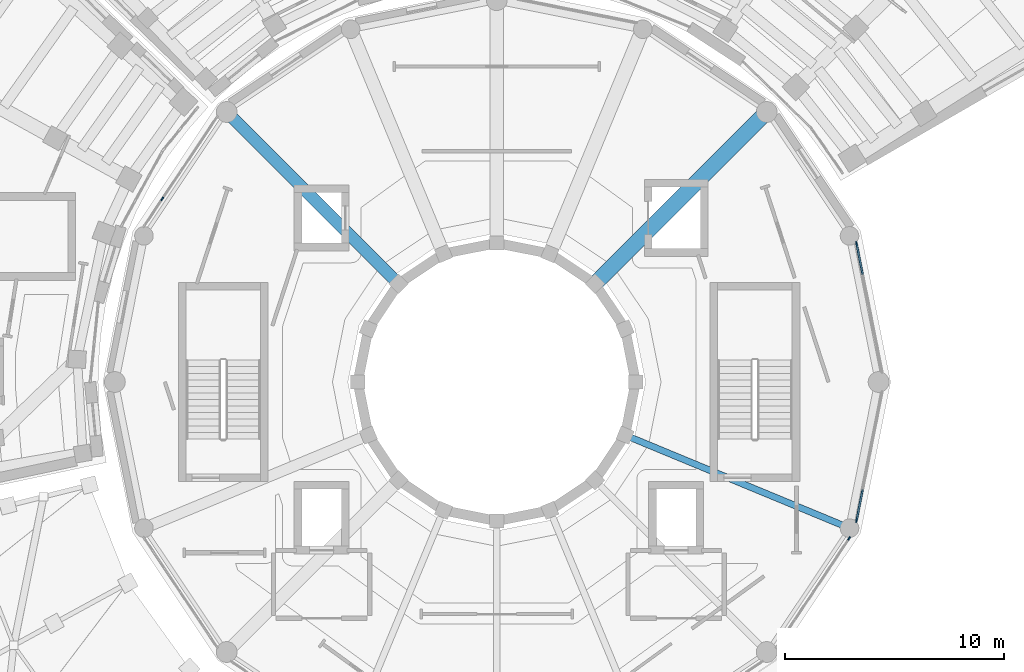
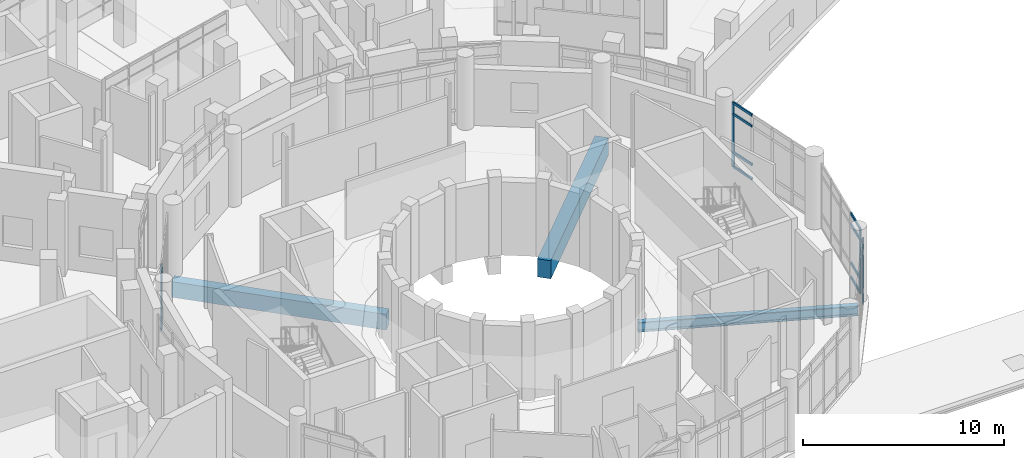
# One storey, part 11 of 75: 12 members, 3 beams, 4 elements without a shape of their own.
"""IFC4 building model written with IfcOpenShell, lengths in metres."""

from ifc_helpers import new_model, si_unit, direction, frame, origin, origin_2d, place, context, subcontext, project, spatial, rectangle, i_section, extrude, material, material_profile, profile_set, type_object, element, aggregate, save


model = new_model("IFC4")

# Units and contexts
model_context = context("Model", 3, precision=1e-05, world=origin(), true_north=direction((0.0, 1.0)))
body_context = subcontext(model_context, "Body", "Model", "MODEL_VIEW")
ifc_project = project(units=[si_unit("LENGTHUNIT", "METRE"), si_unit("AREAUNIT", "SQUARE_METRE"), si_unit("VOLUMEUNIT", "CUBIC_METRE"), si_unit("PLANEANGLEUNIT", "RADIAN"), si_unit("MASSUNIT", "GRAM", prefix="KILO")], contexts=[model_context])

# Site, building, storey
site_placement = place(None, origin())
site = spatial("IfcSite", under=ifc_project, at=site_placement, CompositionType="ELEMENT")
building_placement = place(site_placement, origin())
building = spatial("IfcBuilding", under=site, at=building_placement, Name="Soyqirgoq Riverine Aquarium", CompositionType="ELEMENT")
storey_placement = place(building_placement, frame((0.0, 0.0, 10.199951171875)))
storey = spatial("IfcBuildingStorey", under=building, at=storey_placement, Name="L03", CompositionType="ELEMENT", Elevation=10.199951171875)

# Curtain wall, member
ifc_material_1 = material(Name="Anodised aluminium thermally broken triple low-E glazing", Category="aluminium")
curtain_wall_type = type_object("IfcCurtainWallType", Name="CW_DrumGallery_Unitised", PredefinedType="NOTDEFINED", material=ifc_material_1)
curtain_wall_1_placement = place(storey_placement, origin())
curtain_wall_1 = element("IfcCurtainWall", 1, at=curtain_wall_1_placement, inside=storey, type_object=curtain_wall_type, Name="V1 L03 Curtain Wall 003", PredefinedType="NOTDEFINED")
ifc_material_2 = material(Name="Anodised aluminium 6063-T6", Category="aluminium")
ifc_material_profile_1 = material_profile(ifc_material_2, rectangle(XDim=0.06494140625, YDim=0.179931640625, at=origin_2d()), Name="ALU-M 65x180")
ifc_profile_set_1 = profile_set([ifc_material_profile_1], Name="Anodised aluminium 6063-T6")
member_type_1 = type_object("IfcMemberType", Name="CWMullion_65x180", PredefinedType="MULLION", material=ifc_profile_set_1)
member_1_placement = place(storey_placement, frame((72.44091796875, 63.32958984375, 0.0), z_axis=(0.0, 0.0, 1.0), x_axis=(-0.980784364221, -0.195094927919, 0.0)))
member_1 = element("IfcMember", 2, at=member_1_placement, type_object=member_type_1, Name="CW-01 mullion 5", PredefinedType="MULLION", context=body_context, shape_type="SweptSolid", body=[
    extrude(rectangle(XDim=0.06494140625, YDim=0.179931640625, at=origin_2d()), origin(), (0.0, 0.0, 1.0), 3.949951171875),
])

curtain_wall_2_placement = place(storey_placement, origin())
curtain_wall_2 = element("IfcCurtainWall", 3, at=curtain_wall_2_placement, inside=storey, type_object=curtain_wall_type, Name="V1 L03 Curtain Wall 025", PredefinedType="NOTDEFINED")
member_2_placement = place(storey_placement, frame((40.715087890625, 65.37158203125, 0.0), z_axis=(0.0, 0.0, 1.0), x_axis=(0.831468565541, -0.555571799605, 0.0)))
member_2 = element("IfcMember", 4, at=member_2_placement, type_object=member_type_1, Name="CW-01 mullion 4", PredefinedType="MULLION", context=body_context, shape_type="SweptSolid", body=[
    extrude(rectangle(XDim=0.06494140625, YDim=0.179931640625, at=origin_2d()), origin(), (0.0, 0.0, 1.0), 3.949951171875),
])
aggregate(curtain_wall_2, [member_2])

curtain_wall_3_placement = place(storey_placement, origin())
curtain_wall_3 = element("IfcCurtainWall", 5, at=curtain_wall_3_placement, inside=storey, type_object=curtain_wall_type, Name="V1 L03 Curtain Wall 067", PredefinedType="NOTDEFINED")
member_3_placement = place(storey_placement, frame((72.101318359375, 49.850341796875, 0.0), z_axis=(0.0, 0.0, 1.0), x_axis=(-0.831468565541, 0.555571799605, 0.0)))
member_3 = element("IfcMember", 6, at=member_3_placement, type_object=member_type_1, Name="CW-01 mullion 5", PredefinedType="MULLION", context=body_context, shape_type="SweptSolid", body=[
    extrude(rectangle(XDim=0.06494140625, YDim=0.179931640625, at=origin_2d()), origin(), (0.0, 0.0, 1.0), 3.949951171875),
])
aggregate(curtain_wall_3, [member_3])

curtain_wall_4_placement = place(storey_placement, origin())
curtain_wall_4 = element("IfcCurtainWall", 7, at=curtain_wall_4_placement, inside=storey, type_object=curtain_wall_type, Name="V1 L03 Curtain Wall 074", PredefinedType="NOTDEFINED")
member_4_placement = place(storey_placement, frame((72.44091796875, 50.67041015625, 0.0), z_axis=(0.0, 0.0, 1.0), x_axis=(-0.980784364221, 0.195094927919, 0.0)))
member_4 = element("IfcMember", 8, at=member_4_placement, type_object=member_type_1, Name="CW-01 mullion 1", PredefinedType="MULLION", context=body_context, shape_type="SweptSolid", body=[
    extrude(rectangle(XDim=0.06494140625, YDim=0.179931640625, at=origin_2d()), origin(), (0.0, 0.0, 1.0), 3.949951171875),
])

# Member
ifc_material_3 = material(Name="Anodised aluminium 6063-T6", Category="aluminium")
ifc_material_profile_2 = material_profile(ifc_material_3, rectangle(XDim=0.074951171875, YDim=0.14990234375, at=origin_2d()), Name="ALU-T 75x150")
ifc_profile_set_2 = profile_set([ifc_material_profile_2], Name="Anodised aluminium 6063-T6")
member_type_2 = type_object("IfcMemberType", Name="CWTransom_75x150", PredefinedType="USERDEFINED", material=ifc_profile_set_2)
member_5_placement = place(storey_placement, frame((72.72119140625, 61.920166015625, 0.03759765625), z_axis=(-0.195012996379, 0.98080065826, 0.0), x_axis=(-0.98080065826, -0.195012996379, 0.0)))
member_5 = element("IfcMember", 9, at=member_5_placement, type_object=member_type_2, Name="CW-01 transom 4.1", ObjectType="TRANSOM", PredefinedType="USERDEFINED", context=body_context, shape_type="SweptSolid", body=[
    extrude(rectangle(XDim=0.074951171875, YDim=0.14990234375, at=origin_2d()), origin(), (0.0, 0.0, 1.0), 1.404541015625),
])

member_6_placement = place(storey_placement, frame((72.72119140625, 61.920166015625, 0.900146484375), z_axis=(-0.195012996379, 0.98080065826, 0.0), x_axis=(-0.98080065826, -0.195012996379, 0.0)))
member_6 = element("IfcMember", 10, at=member_6_placement, type_object=member_type_2, Name="CW-01 transom 4.2", ObjectType="TRANSOM", PredefinedType="USERDEFINED", context=body_context, shape_type="SweptSolid", body=[
    extrude(rectangle(XDim=0.074951171875, YDim=0.14990234375, at=origin_2d()), origin(), (0.0, 0.0, 1.0), 1.404541015625),
])

member_7_placement = place(storey_placement, frame((72.72119140625, 61.920166015625, 3.25), z_axis=(-0.195012996379, 0.98080065826, 0.0), x_axis=(-0.98080065826, -0.195012996379, 0.0)))
member_7 = element("IfcMember", 11, at=member_7_placement, type_object=member_type_2, Name="CW-01 transom 4.3", ObjectType="TRANSOM", PredefinedType="USERDEFINED", context=body_context, shape_type="SweptSolid", body=[
    extrude(rectangle(XDim=0.074951171875, YDim=0.14990234375, at=origin_2d()), origin(), (0.0, 0.0, 1.0), 1.404541015625),
])

member_8_placement = place(storey_placement, frame((72.72119140625, 61.920166015625, 3.91259765625), z_axis=(-0.195012996379, 0.98080065826, 0.0), x_axis=(-0.98080065826, -0.195012996379, 0.0)))
member_8 = element("IfcMember", 12, at=member_8_placement, type_object=member_type_2, Name="CW-01 transom 4.4", ObjectType="TRANSOM", PredefinedType="USERDEFINED", context=body_context, shape_type="SweptSolid", body=[
    extrude(rectangle(XDim=0.074951171875, YDim=0.14990234375, at=origin_2d()), origin(), (0.0, 0.0, 1.0), 1.404541015625),
])

aggregate(curtain_wall_1, [member_1, member_5, member_6, member_7, member_8])

member_9_placement = place(storey_placement, frame((72.447265625, 50.7021484375, 0.03759765625), z_axis=(0.195012996379, 0.98080065826, 0.0), x_axis=(-0.98080065826, 0.195012996379, 0.0)))
member_9 = element("IfcMember", 13, at=member_9_placement, type_object=member_type_2, Name="CW-01 transom 1.1", ObjectType="TRANSOM", PredefinedType="USERDEFINED", context=body_context, shape_type="SweptSolid", body=[
    extrude(rectangle(XDim=0.074951171875, YDim=0.14990234375, at=origin_2d()), origin(), (0.0, 0.0, 1.0), 1.404541015625),
])

member_10_placement = place(storey_placement, frame((72.447265625, 50.7021484375, 0.900146484375), z_axis=(0.195012996379, 0.98080065826, 0.0), x_axis=(-0.98080065826, 0.195012996379, 0.0)))
member_10 = element("IfcMember", 14, at=member_10_placement, type_object=member_type_2, Name="CW-01 transom 1.2", ObjectType="TRANSOM", PredefinedType="USERDEFINED", context=body_context, shape_type="SweptSolid", body=[
    extrude(rectangle(XDim=0.074951171875, YDim=0.14990234375, at=origin_2d()), origin(), (0.0, 0.0, 1.0), 1.404541015625),
])

member_11_placement = place(storey_placement, frame((72.447265625, 50.7021484375, 3.25), z_axis=(0.195012996379, 0.98080065826, 0.0), x_axis=(-0.98080065826, 0.195012996379, 0.0)))
member_11 = element("IfcMember", 15, at=member_11_placement, type_object=member_type_2, Name="CW-01 transom 1.3", ObjectType="TRANSOM", PredefinedType="USERDEFINED", context=body_context, shape_type="SweptSolid", body=[
    extrude(rectangle(XDim=0.074951171875, YDim=0.14990234375, at=origin_2d()), origin(), (0.0, 0.0, 1.0), 1.404541015625),
])

member_12_placement = place(storey_placement, frame((72.447265625, 50.7021484375, 3.91259765625), z_axis=(0.195012996379, 0.98080065826, 0.0), x_axis=(-0.98080065826, 0.195012996379, 0.0)))
member_12 = element("IfcMember", 16, at=member_12_placement, type_object=member_type_2, Name="CW-01 transom 1.4", ObjectType="TRANSOM", PredefinedType="USERDEFINED", context=body_context, shape_type="SweptSolid", body=[
    extrude(rectangle(XDim=0.074951171875, YDim=0.14990234375, at=origin_2d()), origin(), (0.0, 0.0, 1.0), 1.404541015625),
])

aggregate(curtain_wall_4, [member_4, member_9, member_10, member_11, member_12])

# Beams
ifc_material_4 = material(Name="Concrete C40/50", Category="concrete")
ifc_material_profile_3 = material_profile(ifc_material_4, rectangle(XDim=0.550048828125, YDim=0.949951171875, at=origin_2d()), Name="RC 550x950")
ifc_profile_set_3 = profile_set([ifc_material_profile_3], Name="Concrete C40/50")
beam_type_1 = type_object("IfcBeamType", Name="Girder_RC_550x950", PredefinedType="BEAM", material=ifc_profile_set_3)
beam_1_placement = place(storey_placement, frame((51.502685546875, 61.497314453125, -0.824951171875), z_axis=(-0.707106781187, 0.707106781187, 0.0), x_axis=(-0.707106781187, -0.707106781187, 0.0)))
element("IfcBeam", 17, at=beam_1_placement, inside=storey, type_object=beam_type_1, Name="V1 L03 Gallery Radial Beam 0072", PredefinedType="BEAM", context=body_context, shape_type="SweptSolid", body=[
    extrude(rectangle(XDim=0.550048828125, YDim=0.949951171875, at=origin_2d()), origin(), (0.0, 0.0, 1.0), 11.07958984375),
])
ifc_material_5 = material(Name="Concrete C40/50", Category="concrete")
ifc_material_profile_4 = material_profile(ifc_material_5, rectangle(XDim=0.699951171875, YDim=1.10009765625, at=origin_2d()), Name="RC 700x1100")
ifc_profile_set_4 = profile_set([ifc_material_profile_4], Name="Concrete C40/50")
beam_type_2 = type_object("IfcBeamType", Name="Girder_RC_700x1100", PredefinedType="BEAM", material=ifc_profile_set_4)
beam_2_placement = place(storey_placement, frame((60.497314453125, 61.497314453125, -0.89990234375), z_axis=(0.707106781187, 0.707106781187, 0.0), x_axis=(-0.707106781187, 0.707106781187, 0.0)))
element("IfcBeam", 18, at=beam_2_placement, inside=storey, type_object=beam_type_2, Name="V1 L03 Gallery Radial Beam 0064", PredefinedType="BEAM", context=body_context, shape_type="SweptSolid", body=[
    extrude(rectangle(XDim=0.699951171875, YDim=1.10009765625, at=origin_2d()), origin(), (0.0, 0.0, 1.0), 11.07958984375),
])
ifc_material_6 = material(Name="Structural steel S355", Category="steel")
ifc_material_profile_5 = material_profile(ifc_material_6, i_section(OverallWidth=0.300048828125, OverallDepth=0.60009765625, WebThickness=0.015380859375, FlangeThickness=0.030029296875, FilletRadius=0.027099609375, at=origin_2d()), Name="HEB 600")
ifc_profile_set_5 = profile_set([ifc_material_profile_5], Name="Structural steel S355")
beam_type_3 = type_object("IfcBeamType", Name="SteelGirder_HEB600", PredefinedType="BEAM", material=ifc_profile_set_5)
beam_3_placement = place(storey_placement, frame((61.875732421875, 54.566162109375, -0.64990234375), z_axis=(0.923879335189, -0.382683908742, 0.0), x_axis=(0.382683908742, 0.923879335189, 0.0)))
element("IfcBeam", 19, at=beam_3_placement, inside=storey, type_object=beam_type_3, Name="V1 L03 Gallery Radial Beam 0088", PredefinedType="BEAM", context=body_context, shape_type="SweptSolid", body=[
    extrude(i_section(OverallWidth=0.300048828125, OverallDepth=0.60009765625, WebThickness=0.015380859375, FlangeThickness=0.030029296875, FilletRadius=0.027099609375, at=origin_2d()), origin(), (0.0, 0.0, 1.0), 11.080322265625),
])

save(model, "model.ifc")
